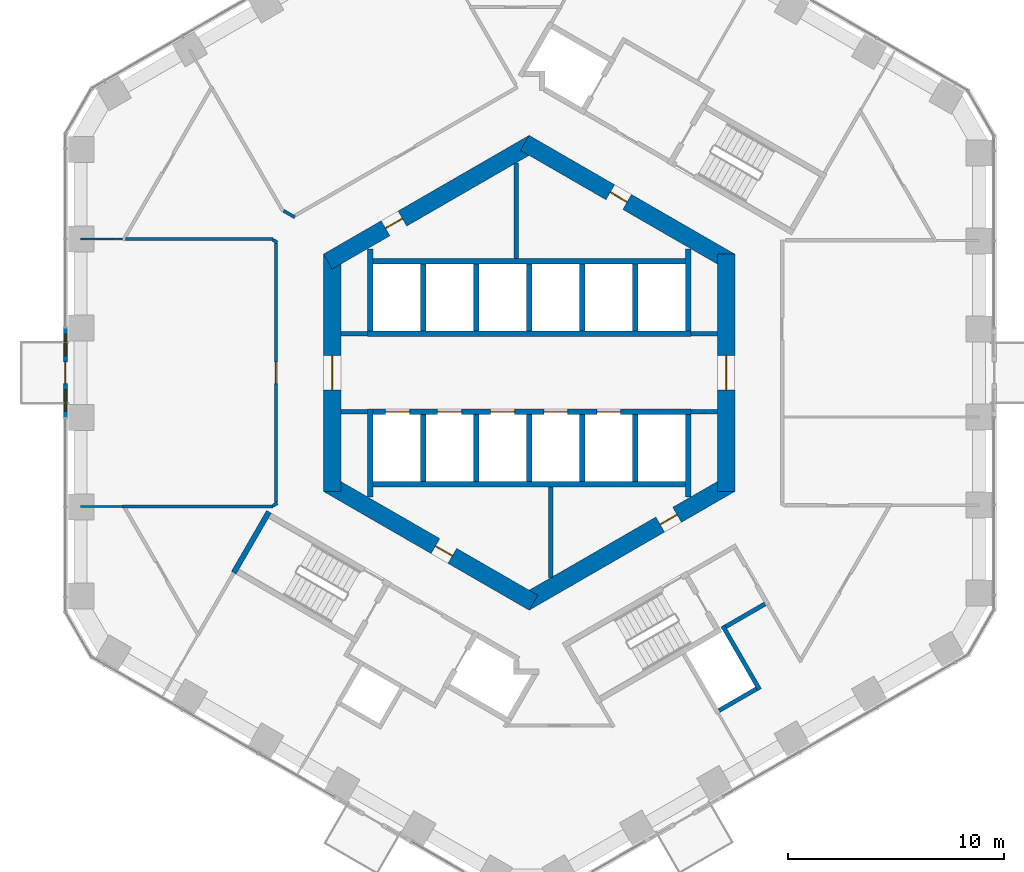
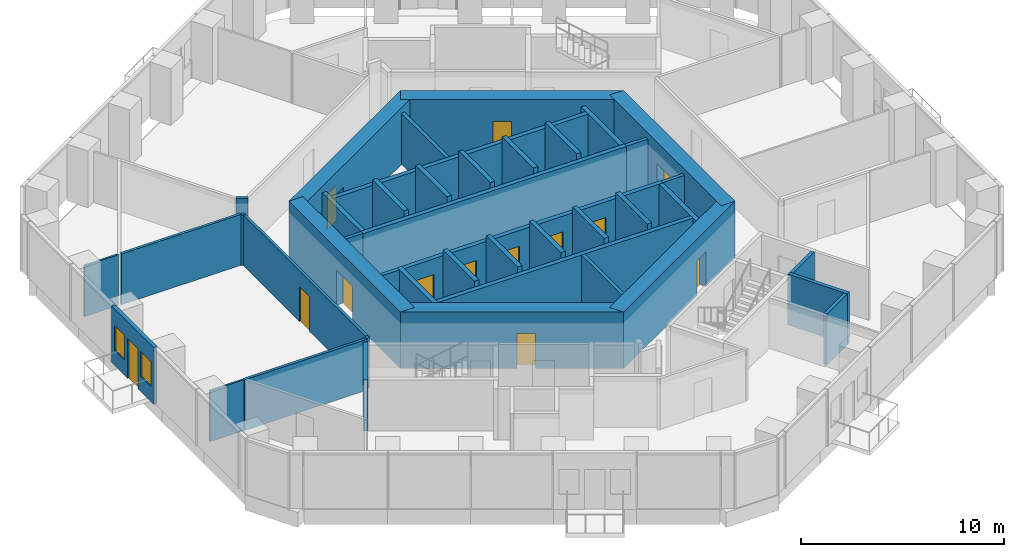
# One storey, part 14 of 20: 43 walls, 13 doors, 2 windows, 15 openings.
"""IFC4 building model written with IfcOpenShell, lengths in metres."""

import ifcopenshell
import ifcopenshell.guid

model = None  # the IFC model being written
_history = None  # IfcOwnerHistory: only IFC2X3 demands one
_inside = {}  # id of a spatial element -> (the spatial element, [elements in it])
_under = {}  # id of a project, library or spatial element -> (it, [spatial elements below it])
_declared = {}  # id of a project -> (the project, [libraries it declares])
_typed = {}  # id of a type object -> (the type object, [elements of that type])
_made_of = {}  # id of a material, layer set ... -> (it, [elements and type objects made of it])


def new_model(schema):
    """Start an empty IFC model of exactly this schema.

    Asked for "IFC4X3", IfcOpenShell would pick the latest addendum, in which some entities
    have other attributes; the version numbers below select the first issue.
    IFC2X3 requires an IfcOwnerHistory on every rooted entity: one is made here for all.
    """
    global model, _history
    if schema == "IFC4X3":
        model = ifcopenshell.file(schema_version=(4, 3, 0, 0))
    else:
        model = ifcopenshell.file(schema=schema)
    _inside.clear()
    _under.clear()
    _declared.clear()
    _typed.clear()
    _made_of.clear()
    _history = None
    if model.schema == "IFC2X3":
        org = make("IfcOrganization", Name="unknown")
        user = make(
            "IfcPersonAndOrganization",
            ThePerson=make("IfcPerson", FamilyName="unknown"),
            TheOrganization=org,
        )
        app = make(
            "IfcApplication",
            ApplicationDeveloper=org,
            Version="unknown",
            ApplicationFullName="unknown",
            ApplicationIdentifier="unknown",
        )
        _history = make(
            "IfcOwnerHistory",
            OwningUser=user,
            OwningApplication=app,
            ChangeAction="ADDED",
            CreationDate=0,
        )
    return model


def make(cls, **values):
    """One entity of the class cls with the attributes given. An attribute that is None is left unset."""
    return model.create_entity(
        cls, **{name: value for name, value in values.items() if value is not None}
    )


def rooted(cls, **values):
    """An entity with a GlobalId (a new one), such as an element, a storey or a relation."""
    return make(cls, GlobalId=ifcopenshell.guid.new(), OwnerHistory=_history, **values)


def si_unit(unit_type, name, prefix=None):
    """IfcSIUnit, for example si_unit("LENGTHUNIT", "METRE", prefix="MILLI")."""
    return make("IfcSIUnit", UnitType=unit_type, Prefix=prefix, Name=name)


def assignment(units):
    """IfcUnitAssignment: the units of a project."""
    return None if units is None else make("IfcUnitAssignment", Units=units)


def point(xyz):
    """IfcCartesianPoint."""
    return None if xyz is None else make("IfcCartesianPoint", Coordinates=xyz)


def direction(xyz):
    """IfcDirection."""
    return None if xyz is None else make("IfcDirection", DirectionRatios=xyz)


def frame(location, z_axis=None, x_axis=None):
    """IfcAxis2Placement3D, a coordinate frame: its origin and axes. An axis left out is left unset."""
    return make(
        "IfcAxis2Placement3D",
        Location=point(location),
        Axis=direction(z_axis),
        RefDirection=direction(x_axis),
    )


def frame_2d(location, x_axis=None):
    """IfcAxis2Placement2D, a coordinate frame in the plane: its origin and x axis."""
    return make(
        "IfcAxis2Placement2D", Location=point(location), RefDirection=direction(x_axis)
    )


def origin():
    """The frame at (0, 0, 0) with its axes left unset."""
    return frame((0.0, 0.0, 0.0))


def place(relative_to, where):
    """IfcLocalPlacement: puts the frame where relative to a parent placement (None: the world)."""
    return make(
        "IfcLocalPlacement", PlacementRelTo=relative_to, RelativePlacement=where
    )


def context(
    kind, dimensions, precision=None, world=None, true_north=None, identifier=None
):
    """IfcGeometricRepresentationContext, for example the 3D "Model" context."""
    return make(
        "IfcGeometricRepresentationContext",
        ContextIdentifier=identifier,
        ContextType=kind,
        CoordinateSpaceDimension=dimensions,
        Precision=precision,
        WorldCoordinateSystem=world,
        TrueNorth=true_north,
    )


def subcontext(parent, identifier, kind, view, scale=None):
    """IfcGeometricRepresentationSubContext, for example "Body" below "Model"."""
    return make(
        "IfcGeometricRepresentationSubContext",
        ContextIdentifier=identifier,
        ContextType=kind,
        ParentContext=parent,
        TargetScale=scale,
        TargetView=view,
    )


def project(units=None, contexts=None):
    """IfcProject with its units and contexts."""
    return rooted(
        "IfcProject",
        Name="project",
        RepresentationContexts=contexts,
        UnitsInContext=assignment(units),
    )


def spatial(cls, under=None, at=None, **own):
    """A site, building, storey or space (cls), placed at a placement, below another one or the project."""
    s = rooted(cls, ObjectPlacement=at, **own)
    if under is not None:
        _under.setdefault(under.id(), (under, []))[1].append(s)
    return s


def profile(cls, at=None, kind="AREA", **sizes):
    """A parametric profile (cls). Its sizes go by their IFC names, for example OverallWidth=200.0."""
    return make(cls, ProfileType=kind, Position=at, **sizes)


def rectangle(**sizes):
    """IfcRectangleProfileDef."""
    return profile("IfcRectangleProfileDef", **sizes)


def extrude(swept, where, along, depth):
    """IfcExtrudedAreaSolid: the profile swept, set in the frame where, extruded along a direction by depth."""
    return make(
        "IfcExtrudedAreaSolid",
        SweptArea=swept,
        Position=where,
        ExtrudedDirection=direction(along),
        Depth=depth,
    )


def shape(context_of_items, identifier, shape_type, items):
    """IfcShapeRepresentation: the items that make up one representation, for example the "Body"."""
    return make(
        "IfcShapeRepresentation",
        ContextOfItems=context_of_items,
        RepresentationIdentifier=identifier,
        RepresentationType=shape_type,
        Items=items,
    )


def material(Name=None, Category=None):
    """IfcMaterial."""
    return make("IfcMaterial", Name=Name, Category=Category)


def layer(
    of_material, thickness, ventilated=None, Name=None, Category=None, Priority=None
):
    """IfcMaterialLayer: one layer of a wall or slab, of a material (None: an air gap)."""
    return make(
        "IfcMaterialLayer",
        Material=of_material,
        LayerThickness=thickness,
        IsVentilated=ventilated,
        Name=Name,
        Category=Category,
        Priority=Priority,
    )


def layer_set(layers, Name=None):
    """IfcMaterialLayerSet."""
    return make("IfcMaterialLayerSet", MaterialLayers=layers, LayerSetName=Name)


def made_of(thing, what):
    """Note that an element or type object is made of a material, layer set ...; save() writes the relation."""
    if what is not None:
        _made_of.setdefault(what.id(), (what, []))[1].append(thing)
    return thing


def type_object(cls, material=None, **own):
    """A type object (cls), such as IfcWallType, which elements share."""
    return made_of(rooted(cls, **own), material)


def element(
    cls,
    number,
    at=None,
    inside=None,
    cuts=None,
    type_object=None,
    material=None,
    context=None,
    identifier="Body",
    shape_type=None,
    held_by="IfcProductDefinitionShape",
    body=None,
    shapes=None,
    **own,
):
    """One element of the class cls, such as IfcWall. Its Tag is "e" and its number.

    at: its placement. inside: the storey or other place that contains it. cuts: it is an
    opening in that element (IfcRelVoidsElement). A single representation is given by context,
    identifier, shape_type and body (its items); several are given by shapes. held_by: the class
    of the entity that holds the representations. save() writes the other relations.
    """
    e = rooted(cls, Tag="e%d" % number, ObjectPlacement=at, **own)
    if body is not None:
        shapes = [shape(context, identifier, shape_type, body)]
    if shapes is not None:
        e.Representation = make(held_by, Representations=shapes)
    if inside is not None:
        _inside.setdefault(inside.id(), (inside, []))[1].append(e)
    if cuts is not None:
        rooted(
            "IfcRelVoidsElement", RelatingBuildingElement=cuts, RelatedOpeningElement=e
        )
    if type_object is not None:
        _typed.setdefault(type_object.id(), (type_object, []))[1].append(e)
    return made_of(e, material)


def fill(opening, filler):
    """IfcRelFillsElement: the door or window that sits in an opening."""
    return rooted(
        "IfcRelFillsElement",
        RelatingOpeningElement=opening,
        RelatedBuildingElement=filler,
    )


def aggregate(whole, parts):
    """IfcRelAggregates: a whole, such as a stair, and the parts it consists of."""
    return rooted("IfcRelAggregates", RelatingObject=whole, RelatedObjects=parts)


def save(model, path):
    """Write the relations noted so far, then the file.

    IfcRelAggregates (storeys below a building ...), IfcRelContainedInSpatialStructure (elements
    in a storey), IfcRelDefinesByType, IfcRelAssociatesMaterial and IfcRelDeclares: one each for
    every whole, place, type object, material and project.
    """
    for whole, parts in _under.values():
        aggregate(whole, parts)
    for where, things in _inside.values():
        rooted(
            "IfcRelContainedInSpatialStructure",
            RelatedElements=things,
            RelatingStructure=where,
        )
    for kind, things in _typed.values():
        rooted("IfcRelDefinesByType", RelatedObjects=things, RelatingType=kind)
    for what, things in _made_of.values():
        rooted("IfcRelAssociatesMaterial", RelatedObjects=things, RelatingMaterial=what)
    for by, libraries in _declared.values():
        rooted("IfcRelDeclares", RelatingContext=by, RelatedDefinitions=libraries)
    model.write(path)


model = new_model("IFC4")

# Units and contexts
model_context = context("Model", 3, precision=1e-05, world=origin(), true_north=direction((0.0, 1.0)))
body_context = subcontext(model_context, "Body", "Model", "MODEL_VIEW")
ifc_project = project(units=[si_unit("LENGTHUNIT", "METRE"), si_unit("AREAUNIT", "SQUARE_METRE"), si_unit("VOLUMEUNIT", "CUBIC_METRE"), si_unit("PLANEANGLEUNIT", "RADIAN"), si_unit("MASSUNIT", "GRAM", prefix="KILO")], contexts=[model_context])

# Site, building, storey
site_placement = place(None, origin())
site = spatial("IfcSite", under=ifc_project, at=site_placement, CompositionType="ELEMENT")
building_placement = place(site_placement, origin())
building = spatial("IfcBuilding", under=site, at=building_placement, Name="Ayvan Gate Tower", CompositionType="ELEMENT")
storey_placement = place(building_placement, frame((0.0, 0.0, 28.89990234375)))
storey = spatial("IfcBuildingStorey", under=building, at=storey_placement, Name="L06", CompositionType="ELEMENT", Elevation=28.89990234375)

# Wall, openings, door, windows
ifc_material_1 = material(Name="Insulated metal panel wall")
ifc_layer_1 = layer(ifc_material_1, 0.199951171875)
ifc_layer_set_1 = layer_set([ifc_layer_1], Name="Insulated metal panel wall")
wall_type_1 = type_object("IfcWallType", Name="Balcony door wall 200", PredefinedType="SOLIDWALL", material=ifc_layer_set_1)
wall_1_placement = place(storey_placement, frame((-21.42529296875, 2.0634765625, 0.0), z_axis=(0.0, 0.0, 1.0), x_axis=(0.0, -1.0, 0.0)))
wall_1 = element("IfcWall", 1, at=wall_1_placement, inside=storey, type_object=wall_type_1, Name="EW:L06:3:2", PredefinedType="SOLIDWALL", context=body_context, shape_type="SweptSolid", body=[
    extrude(rectangle(XDim=4.127197265625, YDim=0.199951171875, at=frame_2d((2.0634765625, 0.0))), origin(), (0.0, 0.0, 1.0), 3.400146484375),
])
opening_1_placement = place(wall_1_placement, frame((1.5634765625, 0.0, 0.0)))
opening_1 = element("IfcOpeningElement", 2, at=opening_1_placement, cuts=wall_1, Name="Opening L06-D93", PredefinedType="OPENING", context=body_context, shape_type="SweptSolid", body=[
    extrude(rectangle(XDim=1.0, YDim=2.39990234375, at=frame_2d((0.5, 1.199951171875))), frame((0.0, 0.10986328125, 0.0), z_axis=(0.0, -1.0, 0.0), x_axis=(1.0, 0.0, 0.0)), (0.0, 0.0, 1.0), 0.219970703125),
])
opening_2_placement = place(wall_1_placement, frame((0.28173828125, 0.0, 0.89990234375)))
opening_2 = element("IfcOpeningElement", 3, at=opening_2_placement, cuts=wall_1, Name="Opening W-B1", PredefinedType="OPENING", context=body_context, shape_type="SweptSolid", body=[
    extrude(rectangle(XDim=1.0, YDim=1.5, at=frame_2d((0.5, 0.75))), frame((0.0, 0.10986328125, 0.0), z_axis=(0.0, -1.0, 0.0), x_axis=(1.0, 0.0, 0.0)), (0.0, 0.0, 1.0), 0.219970703125),
])
opening_3_placement = place(wall_1_placement, frame((2.84521484375, 0.0, 0.89990234375)))
opening_3 = element("IfcOpeningElement", 4, at=opening_3_placement, cuts=wall_1, Name="Opening W-B1", PredefinedType="OPENING", context=body_context, shape_type="SweptSolid", body=[
    extrude(rectangle(XDim=1.0, YDim=1.5, at=frame_2d((0.5, 0.75))), frame((0.0, 0.10986328125, 0.0), z_axis=(0.0, -1.0, 0.0), x_axis=(1.0, 0.0, 0.0)), (0.0, 0.0, 1.0), 0.219970703125),
])
ifc_material_2 = material(Name="Bronze anodised aluminium and clear glass", Category="aluminium")
door_type_1 = type_object("IfcDoorType", Name="Balcony door D-B", OperationType="SINGLE_SWING_RIGHT", PredefinedType="DOOR", material=ifc_material_2)
door_1_placement = place(opening_1_placement, origin())
door_1 = element("IfcDoor", 5, at=door_1_placement, inside=storey, type_object=door_type_1, Name="Balcony door BAL-L06-3", OperationType="SINGLE_SWING_RIGHT", OverallHeight=2.39990234375, OverallWidth=1.0, PredefinedType="DOOR", context=body_context, shape_type="SweptSolid", body=[
    extrude(rectangle(XDim=1.0, YDim=2.39990234375, at=frame_2d((0.5, 1.199951171875))), frame((0.0, 0.02490234375, 0.0), z_axis=(0.0, -1.0, 0.0), x_axis=(1.0, 0.0, 0.0)), (0.0, 0.0, 1.0), 0.050048828125),
])
fill(opening_1, door_1)
window_type = type_object("IfcWindowType", Name="Balcony side light W-B Z1", PartitioningType="SINGLE_PANEL", PredefinedType="WINDOW", material=ifc_material_2)
window_1_placement = place(opening_2_placement, origin())
window_1 = element("IfcWindow", 6, at=window_1_placement, inside=storey, type_object=window_type, Name="Balcony side light BAL-L06-3.1", OverallHeight=1.5, OverallWidth=1.0, PartitioningType="SINGLE_PANEL", PredefinedType="WINDOW", context=body_context, shape_type="SweptSolid", body=[
    extrude(rectangle(XDim=1.0, YDim=1.5, at=frame_2d((0.5, 0.75))), frame((0.0, 0.030029296875, 0.0), z_axis=(0.0, -1.0, 0.0), x_axis=(1.0, 0.0, 0.0)), (0.0, 0.0, 1.0), 0.06005859375),
])
fill(opening_2, window_1)
window_2_placement = place(opening_3_placement, origin())
window_2 = element("IfcWindow", 7, at=window_2_placement, inside=storey, type_object=window_type, Name="Balcony side light BAL-L06-3.2", OverallHeight=1.5, OverallWidth=1.0, PartitioningType="SINGLE_PANEL", PredefinedType="WINDOW", context=body_context, shape_type="SweptSolid", body=[
    extrude(rectangle(XDim=1.0, YDim=1.5, at=frame_2d((0.5, 0.75))), frame((0.0, 0.030029296875, 0.0), z_axis=(0.0, -1.0, 0.0), x_axis=(1.0, 0.0, 0.0)), (0.0, 0.0, 1.0), 0.06005859375),
])
fill(opening_3, window_2)

# Wall, opening, door
ifc_material_3 = material(Name="Concrete C70/85", Category="concrete")
ifc_layer_2 = layer(ifc_material_3, 0.800048828125)
ifc_layer_set_2 = layer_set([ifc_layer_2], Name="Concrete C70/85")
wall_type_2 = type_object("IfcWallType", Name="Core wall 800 C70/85", PredefinedType="SHEAR", material=ifc_layer_set_2)
wall_2_placement = place(storey_placement, frame((9.10009765625, -5.48486328125, 0.0), z_axis=(0.0, 0.0, 1.0), x_axis=(0.0, 1.0, 0.0)))
wall_2 = element("IfcWall", 8, at=wall_2_placement, inside=storey, type_object=wall_type_2, Name="CORE-L06-0", PredefinedType="SHEAR", context=body_context, shape_type="SweptSolid", body=[
    extrude(rectangle(XDim=10.9697265625, YDim=0.800048828125, at=frame_2d((5.48486328125, 0.0))), origin(), (0.0, 0.0, 1.0), 3.400146484375),
])
opening_4_placement = place(wall_2_placement, frame((4.684814453125, 0.0, 0.0)))
opening_4 = element("IfcOpeningElement", 9, at=opening_4_placement, cuts=wall_2, Name="Opening L06-D100", PredefinedType="OPENING", context=body_context, shape_type="SweptSolid", body=[
    extrude(rectangle(XDim=1.60009765625, YDim=2.10009765625, at=frame_2d((0.800048828125, 1.050048828125))), frame((0.0, 0.409912109375, 0.0), z_axis=(0.0, -1.0, 0.0), x_axis=(1.0, 0.0, 0.0)), (0.0, 0.0, 1.0), 0.820068359375),
])
ifc_material_4 = material(Name="Timber door leaf", Category="wood")
door_type_2 = type_object("IfcDoorType", Name="DT-1600", OperationType="NOTDEFINED", PredefinedType="DOOR", material=ifc_material_4)
door_2_placement = place(opening_4_placement, origin())
door_2 = element("IfcDoor", 10, at=door_2_placement, inside=storey, type_object=door_type_2, Name="CD-L06-100", OperationType="SINGLE_SWING_RIGHT", OverallHeight=2.10009765625, OverallWidth=1.60009765625, PredefinedType="DOOR", context=body_context, shape_type="SweptSolid", body=[
    extrude(rectangle(XDim=1.60009765625, YDim=2.10009765625, at=frame_2d((0.800048828125, 1.050048828125))), frame((0.0, 0.02490234375, 0.0), z_axis=(0.0, -1.0, 0.0), x_axis=(1.0, 0.0, 0.0)), (0.0, 0.0, 1.0), 0.050048828125),
])
fill(opening_4, door_2)

wall_3_placement = place(storey_placement, frame((9.300048828125, 5.138427734375, 0.0), z_axis=(0.0, 0.0, 1.0), x_axis=(-0.866023993627, 0.500002442456, 0.0)))
wall_3 = element("IfcWall", 11, at=wall_3_placement, inside=storey, type_object=wall_type_2, Name="CORE-L06-1", PredefinedType="SHEAR", context=body_context, shape_type="SweptSolid", body=[
    extrude(rectangle(XDim=10.9697265625, YDim=0.800048828125, at=frame_2d((5.48486328125, 0.0))), origin(), (0.0, 0.0, 1.0), 3.400146484375),
])
opening_5_placement = place(wall_3_placement, frame((5.5087890625, 0.0, 0.0)))
opening_5 = element("IfcOpeningElement", 12, at=opening_5_placement, cuts=wall_3, Name="Opening L06-D97", PredefinedType="OPENING", context=body_context, shape_type="SweptSolid", body=[
    extrude(rectangle(XDim=0.89990234375, YDim=2.10009765625, at=frame_2d((0.449951171875, 1.050048828125))), frame((0.0, 0.409912109375, 0.0), z_axis=(0.0, -1.0, 0.0), x_axis=(1.0, 0.0, 0.0)), (0.0, 0.0, 1.0), 0.820068359375),
])
door_type_3 = type_object("IfcDoorType", Name="DT-900", OperationType="NOTDEFINED", PredefinedType="DOOR", material=ifc_material_4)
door_3_placement = place(opening_5_placement, origin())
door_3 = element("IfcDoor", 13, at=door_3_placement, inside=storey, type_object=door_type_3, Name="CD-L06-97", OperationType="SINGLE_SWING_LEFT", OverallHeight=2.10009765625, OverallWidth=0.89990234375, PredefinedType="DOOR", context=body_context, shape_type="SweptSolid", body=[
    extrude(rectangle(XDim=0.89990234375, YDim=2.10009765625, at=frame_2d((0.449951171875, 1.050048828125))), frame((0.0, 0.02490234375, 0.0), z_axis=(0.0, -1.0, 0.0), x_axis=(1.0, 0.0, 0.0)), (0.0, 0.0, 1.0), 0.050048828125),
])
fill(opening_5, door_3)

wall_4_placement = place(storey_placement, frame((0.199951171875, 10.623291015625, 0.0), z_axis=(0.0, 0.0, 1.0), x_axis=(-0.866023993627, -0.500002442456, 0.0)))
wall_4 = element("IfcWall", 14, at=wall_4_placement, inside=storey, type_object=wall_type_2, Name="CORE-L06-2", PredefinedType="SHEAR", context=body_context, shape_type="SweptSolid", body=[
    extrude(rectangle(XDim=10.9697265625, YDim=0.800048828125, at=frame_2d((5.48486328125, 0.0))), origin(), (0.0, 0.0, 1.0), 3.400146484375),
])
opening_6_placement = place(wall_4_placement, frame((6.99267578125, 0.0, 0.0)))
opening_6 = element("IfcOpeningElement", 15, at=opening_6_placement, cuts=wall_4, Name="Opening L06-D96", PredefinedType="OPENING", context=body_context, shape_type="SweptSolid", body=[
    extrude(rectangle(XDim=0.89990234375, YDim=2.10009765625, at=frame_2d((0.449951171875, 1.050048828125))), frame((0.0, 0.409912109375, 0.0), z_axis=(0.0, -1.0, 0.0), x_axis=(1.0, 0.0, 0.0)), (0.0, 0.0, 1.0), 0.820068359375),
])
door_4_placement = place(opening_6_placement, origin())
door_4 = element("IfcDoor", 16, at=door_4_placement, inside=storey, type_object=door_type_3, Name="CD-L06-96", OperationType="SINGLE_SWING_RIGHT", OverallHeight=2.10009765625, OverallWidth=0.89990234375, PredefinedType="DOOR", context=body_context, shape_type="SweptSolid", body=[
    extrude(rectangle(XDim=0.89990234375, YDim=2.10009765625, at=frame_2d((0.449951171875, 1.050048828125))), frame((0.0, 0.02490234375, 0.0), z_axis=(0.0, -1.0, 0.0), x_axis=(1.0, 0.0, 0.0)), (0.0, 0.0, 1.0), 0.050048828125),
])
fill(opening_6, door_4)

wall_5_placement = place(storey_placement, frame((-9.10009765625, 5.48486328125, 0.0), z_axis=(0.0, 0.0, 1.0), x_axis=(0.0, -1.0, 0.0)))
wall_5 = element("IfcWall", 17, at=wall_5_placement, inside=storey, type_object=wall_type_2, Name="CORE-L06-3", PredefinedType="SHEAR", context=body_context, shape_type="SweptSolid", body=[
    extrude(rectangle(XDim=10.9697265625, YDim=0.800048828125, at=frame_2d((5.48486328125, 0.0))), origin(), (0.0, 0.0, 1.0), 3.400146484375),
])
opening_7_placement = place(wall_5_placement, frame((4.684814453125, 0.0, 0.0)))
opening_7 = element("IfcOpeningElement", 18, at=opening_7_placement, cuts=wall_5, Name="Opening L06-D101", PredefinedType="OPENING", context=body_context, shape_type="SweptSolid", body=[
    extrude(rectangle(XDim=1.60009765625, YDim=2.10009765625, at=frame_2d((0.800048828125, 1.050048828125))), frame((0.0, 0.409912109375, 0.0), z_axis=(0.0, -1.0, 0.0), x_axis=(1.0, 0.0, 0.0)), (0.0, 0.0, 1.0), 0.820068359375),
])
door_5_placement = place(opening_7_placement, origin())
door_5 = element("IfcDoor", 19, at=door_5_placement, inside=storey, type_object=door_type_2, Name="CD-L06-101", OperationType="SINGLE_SWING_LEFT", OverallHeight=2.10009765625, OverallWidth=1.60009765625, PredefinedType="DOOR", context=body_context, shape_type="SweptSolid", body=[
    extrude(rectangle(XDim=1.60009765625, YDim=2.10009765625, at=frame_2d((0.800048828125, 1.050048828125))), frame((0.0, 0.02490234375, 0.0), z_axis=(0.0, -1.0, 0.0), x_axis=(1.0, 0.0, 0.0)), (0.0, 0.0, 1.0), 0.050048828125),
])
fill(opening_7, door_5)

wall_6_placement = place(storey_placement, frame((-9.300048828125, -5.138427734375, 0.0), z_axis=(0.0, 0.0, 1.0), x_axis=(0.866023993627, -0.500002442456, 0.0)))
wall_6 = element("IfcWall", 20, at=wall_6_placement, inside=storey, type_object=wall_type_2, Name="CORE-L06-4", PredefinedType="SHEAR", context=body_context, shape_type="SweptSolid", body=[
    extrude(rectangle(XDim=10.9697265625, YDim=0.800048828125, at=frame_2d((5.48486328125, 0.0))), origin(), (0.0, 0.0, 1.0), 3.400146484375),
])
opening_8_placement = place(wall_6_placement, frame((5.73974609375, 0.0, 0.0)))
opening_8 = element("IfcOpeningElement", 21, at=opening_8_placement, cuts=wall_6, Name="Opening L06-D98", PredefinedType="OPENING", context=body_context, shape_type="SweptSolid", body=[
    extrude(rectangle(XDim=0.89990234375, YDim=2.10009765625, at=frame_2d((0.449951171875, 1.050048828125))), frame((0.0, 0.409912109375, 0.0), z_axis=(0.0, -1.0, 0.0), x_axis=(1.0, 0.0, 0.0)), (0.0, 0.0, 1.0), 0.820068359375),
])
door_6_placement = place(opening_8_placement, origin())
door_6 = element("IfcDoor", 22, at=door_6_placement, inside=storey, type_object=door_type_3, Name="CD-L06-98", OperationType="SINGLE_SWING_RIGHT", OverallHeight=2.10009765625, OverallWidth=0.89990234375, PredefinedType="DOOR", context=body_context, shape_type="SweptSolid", body=[
    extrude(rectangle(XDim=0.89990234375, YDim=2.10009765625, at=frame_2d((0.449951171875, 1.050048828125))), frame((0.0, 0.02490234375, 0.0), z_axis=(0.0, -1.0, 0.0), x_axis=(1.0, 0.0, 0.0)), (0.0, 0.0, 1.0), 0.050048828125),
])
fill(opening_8, door_6)

wall_7_placement = place(storey_placement, frame((-0.199951171875, -10.623291015625, 0.0), z_axis=(0.0, 0.0, 1.0), x_axis=(0.866023993627, 0.500002442456, 0.0)))
wall_7 = element("IfcWall", 23, at=wall_7_placement, inside=storey, type_object=wall_type_2, Name="CORE-L06-5", PredefinedType="SHEAR", context=body_context, shape_type="SweptSolid", body=[
    extrude(rectangle(XDim=10.9697265625, YDim=0.800048828125, at=frame_2d((5.48486328125, 0.0))), origin(), (0.0, 0.0, 1.0), 3.400146484375),
])
opening_9_placement = place(wall_7_placement, frame((7.2236328125, 0.0, 0.0)))
opening_9 = element("IfcOpeningElement", 24, at=opening_9_placement, cuts=wall_7, Name="Opening L06-D99", PredefinedType="OPENING", context=body_context, shape_type="SweptSolid", body=[
    extrude(rectangle(XDim=0.89990234375, YDim=2.10009765625, at=frame_2d((0.449951171875, 1.050048828125))), frame((0.0, 0.409912109375, 0.0), z_axis=(0.0, -1.0, 0.0), x_axis=(1.0, 0.0, 0.0)), (0.0, 0.0, 1.0), 0.820068359375),
])
door_7_placement = place(opening_9_placement, origin())
door_7 = element("IfcDoor", 25, at=door_7_placement, inside=storey, type_object=door_type_3, Name="CD-L06-99", OperationType="SINGLE_SWING_LEFT", OverallHeight=2.10009765625, OverallWidth=0.89990234375, PredefinedType="DOOR", context=body_context, shape_type="SweptSolid", body=[
    extrude(rectangle(XDim=0.89990234375, YDim=2.10009765625, at=frame_2d((0.449951171875, 1.050048828125))), frame((0.0, 0.02490234375, 0.0), z_axis=(0.0, -1.0, 0.0), x_axis=(1.0, 0.0, 0.0)), (0.0, 0.0, 1.0), 0.050048828125),
])
fill(opening_9, door_7)

# Walls
ifc_material_5 = material(Name="Plasterboard on steel stud", Category="steel")
ifc_layer_3 = layer(ifc_material_5, 0.14990234375)
ifc_layer_set_3 = layer_set([ifc_layer_3], Name="Plasterboard on steel stud")
wall_type_3 = type_object("IfcWallType", Name="WT-CORR-150", PredefinedType="PARTITIONING", material=ifc_layer_set_3)
wall_8_placement = place(storey_placement, frame((-18.793701171875, -6.181396484375, 0.0), z_axis=(0.0, 0.0, 1.0), x_axis=(1.0, 0.0, 0.0)))
element("IfcWall", 26, at=wall_8_placement, inside=storey, type_object=wall_type_3, Name="IW-L06-001", PredefinedType="PARTITIONING", context=body_context, shape_type="SweptSolid", body=[
    extrude(rectangle(XDim=6.96240234375, YDim=0.14990234375, at=frame_2d((3.481201171875, 0.0))), origin(), (0.0, 0.0, 1.0), 3.050048828125),
])
wall_9_placement = place(storey_placement, frame((-11.831298828125, 6.181396484375, 0.0), z_axis=(0.0, 0.0, 1.0), x_axis=(-1.0, 0.0, 0.0)))
element("IfcWall", 27, at=wall_9_placement, inside=storey, type_object=wall_type_3, Name="IW-L06-011", PredefinedType="PARTITIONING", context=body_context, shape_type="SweptSolid", body=[
    extrude(rectangle(XDim=6.8125, YDim=0.14990234375, at=frame_2d((3.40625, 0.0))), origin(), (0.0, 0.0, 1.0), 3.050048828125),
])
for number, where, z_axis, x_axis, name in (
    (28, (-11.84130859375, -6.143798828125, 0.0), (0.0, 0.0, 1.0), (0.865963705197, 0.500106849865, 0.0), "IW-L06-012"),
    (29, (-11.635009765625, 6.024658203125, 0.0), (0.0, 0.0, 1.0), (-0.865963705197, 0.500106849865, 0.0), "IW-L06-013"),
):
    element("IfcWall", number, at=place(storey_placement, frame(where, z_axis=z_axis, x_axis=x_axis)), inside=storey, type_object=wall_type_3, Name=name, PredefinedType="PARTITIONING", context=body_context, shape_type="SweptSolid", body=[
        extrude(rectangle(XDim=0.23828125, YDim=0.14990234375, at=frame_2d((0.119140625, 0.0))), origin(), (0.0, 0.0, 1.0), 3.050048828125),
    ])

# Wall, opening, door
wall_10_placement = place(storey_placement, frame((-11.699951171875, -5.9873046875, 0.0), z_axis=(0.0, 0.0, 1.0), x_axis=(0.0, 1.0, 0.0)))
wall_10 = element("IfcWall", 30, at=wall_10_placement, inside=storey, type_object=wall_type_3, Name="IW-L06-014", PredefinedType="PARTITIONING", context=body_context, shape_type="SweptSolid", body=[
    extrude(rectangle(XDim=11.974609375, YDim=0.14990234375, at=frame_2d((5.9873046875, 0.0))), origin(), (0.0, 0.0, 1.0), 3.050048828125),
])
opening_10_placement = place(wall_10_placement, frame((5.4873046875, 0.0, 0.0)))
opening_10 = element("IfcOpeningElement", 31, at=opening_10_placement, cuts=wall_10, Name="Opening L06-D24", PredefinedType="OPENING", context=body_context, shape_type="SweptSolid", body=[
    extrude(rectangle(XDim=1.0, YDim=2.10009765625, at=frame_2d((0.5, 1.050048828125))), frame((0.0, 0.0849609375, 0.0), z_axis=(0.0, -1.0, 0.0), x_axis=(1.0, 0.0, 0.0)), (0.0, 0.0, 1.0), 0.169921875),
])
door_type_4 = type_object("IfcDoorType", Name="DT-1000", OperationType="NOTDEFINED", PredefinedType="DOOR", material=ifc_material_4)
door_8_placement = place(opening_10_placement, origin())
door_8 = element("IfcDoor", 32, at=door_8_placement, inside=storey, type_object=door_type_4, Name="ID-L06-024", OperationType="SINGLE_SWING_RIGHT", OverallHeight=2.10009765625, OverallWidth=1.0, PredefinedType="DOOR", context=body_context, shape_type="SweptSolid", body=[
    extrude(rectangle(XDim=1.0, YDim=2.10009765625, at=frame_2d((0.5, 1.050048828125))), frame((0.0, 0.02490234375, 0.0), z_axis=(0.0, -1.0, 0.0), x_axis=(1.0, 0.0, 0.0)), (0.0, 0.0, 1.0), 0.050048828125),
])
fill(opening_10, door_8)

# Walls
wall_11_placement = place(storey_placement, frame((-11.344482421875, 7.485107421875, 0.0), z_axis=(0.0, 0.0, 1.0), x_axis=(0.866131372301, -0.499816412211, 0.0)))
element("IfcWall", 33, at=wall_11_placement, inside=storey, type_object=wall_type_3, Name="IW-L06-015", PredefinedType="PARTITIONING", context=body_context, shape_type="SweptSolid", body=[
    extrude(rectangle(XDim=0.599853515625, YDim=0.14990234375, at=frame_2d((0.2998046875, 0.0))), origin(), (0.0, 0.0, 1.0), 3.050048828125),
])
ifc_layer_4 = layer(ifc_material_5, 0.10009765625)
ifc_layer_set_4 = layer_set([ifc_layer_4], Name="Plasterboard on steel stud")
wall_type_4 = type_object("IfcWallType", Name="WT-PART-100", PredefinedType="PARTITIONING", material=ifc_layer_set_4)
for number, where, z_axis, x_axis, name in (
    (34, (-18.793701171875, -6.181396484375, 0.0), (0.0, 0.0, 1.0), (-1.0, 0.0, 0.0), "IW-L06-000"),
    (35, (-18.793701171875, 6.181396484375, 0.0), (0.0, 0.0, 1.0), (-1.0, 0.0, 0.0), "IW-L06-002"),
):
    element("IfcWall", number, at=place(storey_placement, frame(where, z_axis=z_axis, x_axis=x_axis)), inside=storey, type_object=wall_type_4, Name=name, PredefinedType="PARTITIONING", context=body_context, shape_type="SweptSolid", body=[
        extrude(rectangle(XDim=1.931640625, YDim=0.10009765625, at=frame_2d((0.9658203125, 0.0))), origin(), (0.0, 0.0, 1.0), 3.050048828125),
    ])
ifc_layer_5 = layer(ifc_material_5, 0.199951171875)
ifc_layer_set_5 = layer_set([ifc_layer_5], Name="Plasterboard on steel stud")
wall_type_5 = type_object("IfcWallType", Name="WT-PLUMB-200", PredefinedType="PLUMBINGWALL", material=ifc_layer_set_5)
wall_12_placement = place(storey_placement, frame((8.9453125, -11.694091796875, 0.0), z_axis=(0.0, 0.0, 1.0), x_axis=(0.500062241894, -0.865989465428, 0.0)))
element("IfcWall", 36, at=wall_12_placement, inside=storey, type_object=wall_type_5, Name="IW-L06-088", PredefinedType="PLUMBINGWALL", context=body_context, shape_type="SweptSolid", body=[
    extrude(rectangle(XDim=3.39990234375, YDim=0.199951171875, at=frame_2d((1.699951171875, 0.0))), origin(), (0.0, 0.0, 1.0), 3.050048828125),
])
wall_13_placement = place(storey_placement, frame((10.5087890625, -14.601806640625, 0.0), z_axis=(0.0, 0.0, 1.0), x_axis=(-0.866010750942, -0.50002537861, 0.0)))
element("IfcWall", 37, at=wall_13_placement, inside=storey, type_object=wall_type_5, Name="IW-L06-091", PredefinedType="PLUMBINGWALL", context=body_context, shape_type="SweptSolid", body=[
    extrude(rectangle(XDim=2.0, YDim=0.199951171875, at=frame_2d((1.0, 0.0))), origin(), (0.0, 0.0, 1.0), 3.050048828125),
])
ifc_layer_6 = layer(ifc_material_5, 0.199951171875)
ifc_layer_set_6 = layer_set([ifc_layer_6], Name="Plasterboard on steel stud")
wall_type_6 = type_object("IfcWallType", Name="WT-RATED-200", PredefinedType="PARTITIONING", material=ifc_layer_set_6)
for number, where, z_axis, x_axis, name in (
    (38, (-8.699951171875, 1.800048828125, 0.0), (0.0, 0.0, 1.0), (1.0, 0.0, 0.0), "IW-L06-019"),
    (39, (-7.474853515625, -1.800048828125, 0.0), (0.0, 0.0, 1.0), (-1.0, 0.0, 0.0), "IW-L06-027"),
):
    element("IfcWall", number, at=place(storey_placement, frame(where, z_axis=z_axis, x_axis=x_axis)), inside=storey, type_object=wall_type_6, Name=name, PredefinedType="PARTITIONING", context=body_context, shape_type="SweptSolid", body=[
        extrude(rectangle(XDim=1.22509765625, YDim=0.199951171875, at=frame_2d((0.612548828125, 0.0))), origin(), (0.0, 0.0, 1.0), 3.050048828125),
    ])
wall_14_placement = place(storey_placement, frame((-0.60009765625, 9.699462890625, 0.0), z_axis=(0.0, 0.0, 1.0), x_axis=(0.0, -1.0, 0.0)))
element("IfcWall", 40, at=wall_14_placement, inside=storey, type_object=wall_type_6, Name="IW-L06-050", PredefinedType="PARTITIONING", context=body_context, shape_type="SweptSolid", body=[
    extrude(rectangle(XDim=4.424560546875, YDim=0.199951171875, at=frame_2d((2.21240234375, 0.0))), origin(), (0.0, 0.0, 1.0), 3.050048828125),
])
wall_15_placement = place(storey_placement, frame((1.0, -5.27490234375, 0.0), z_axis=(0.0, 0.0, 1.0), x_axis=(0.0, -1.0, 0.0)))
element("IfcWall", 41, at=wall_15_placement, inside=storey, type_object=wall_type_6, Name="IW-L06-059", PredefinedType="PARTITIONING", context=body_context, shape_type="SweptSolid", body=[
    extrude(rectangle(XDim=4.193603515625, YDim=0.199951171875, at=frame_2d((2.0966796875, 0.0))), origin(), (0.0, 0.0, 1.0), 3.050048828125),
])
for number, where, z_axis, x_axis, name in (
    (42, (7.474853515625, 1.800048828125, 0.0), (0.0, 0.0, 1.0), (1.0, 0.0, 0.0), "IW-L06-079"),
    (43, (8.699951171875, -1.800048828125, 0.0), (0.0, 0.0, 1.0), (-1.0, 0.0, 0.0), "IW-L06-087"),
):
    element("IfcWall", number, at=place(storey_placement, frame(where, z_axis=z_axis, x_axis=x_axis)), inside=storey, type_object=wall_type_6, Name=name, PredefinedType="PARTITIONING", context=body_context, shape_type="SweptSolid", body=[
        extrude(rectangle(XDim=1.22509765625, YDim=0.199951171875, at=frame_2d((0.612548828125, 0.0))), origin(), (0.0, 0.0, 1.0), 3.050048828125),
    ])
wall_16_placement = place(storey_placement, frame((10.900634765625, -10.6806640625, 0.0), z_axis=(0.0, 0.0, 1.0), x_axis=(-0.866009402589, -0.500027713859, 0.0)))
element("IfcWall", 44, at=wall_16_placement, inside=storey, type_object=wall_type_6, Name="IW-L06-092", PredefinedType="PARTITIONING", context=body_context, shape_type="SweptSolid", body=[
    extrude(rectangle(XDim=2.10009765625, YDim=0.199951171875, at=frame_2d((1.050048828125, 0.0))), origin(), (0.0, 0.0, 1.0), 3.050048828125),
])
ifc_material_6 = material(Name="Concrete C50/60", Category="concrete")
ifc_layer_7 = layer(ifc_material_6, 0.25)
ifc_layer_set_7 = layer_set([ifc_layer_7], Name="Concrete C50/60")
wall_type_7 = type_object("IfcWallType", Name="WT-RC-250", PredefinedType="SHEAR", material=ifc_layer_set_7)
wall_17_placement = place(storey_placement, frame((-13.64794921875, -9.23876953125, 0.0), z_axis=(0.0, 0.0, 1.0), x_axis=(0.500017246033, 0.866015446554, 0.0)))
element("IfcWall", 45, at=wall_17_placement, inside=storey, type_object=wall_type_7, Name="IW-L06-008", PredefinedType="SHEAR", context=body_context, shape_type="SweptSolid", body=[
    extrude(rectangle(XDim=3.25, YDim=0.25, at=frame_2d((1.625, 0.0))), origin(), (0.0, 0.0, 1.0), 3.050048828125),
])
wall_18_placement = place(storey_placement, frame((-7.47509765625, 1.800048828125, 0.0), z_axis=(0.0, 0.0, 1.0), x_axis=(1.0, 0.0, 0.0)))
element("IfcWall", 46, at=wall_18_placement, inside=storey, type_object=wall_type_7, Name="IW-L06-023", PredefinedType="SHEAR", context=body_context, shape_type="SweptSolid", body=[
    extrude(rectangle(XDim=14.9501953125, YDim=0.25, at=frame_2d((7.47509765625, 0.0))), origin(), (0.0, 0.0, 1.0), 3.050048828125),
])
wall_19_placement = place(storey_placement, frame((-7.35009765625, -5.730224609375, 0.0), z_axis=(0.0, 0.0, 1.0), x_axis=(0.0, 1.0, 0.0)))
element("IfcWall", 47, at=wall_19_placement, inside=storey, type_object=wall_type_7, Name="IW-L06-024", PredefinedType="SHEAR", context=body_context, shape_type="SweptSolid", body=[
    extrude(rectangle(XDim=4.05517578125, YDim=0.25, at=frame_2d((2.027587890625, 0.0))), origin(), (0.0, 0.0, 1.0), 3.050048828125),
])
wall_20_placement = place(storey_placement, frame((-7.35009765625, 1.925048828125, 0.0), z_axis=(0.0, 0.0, 1.0), x_axis=(0.0, 1.0, 0.0)))
element("IfcWall", 48, at=wall_20_placement, inside=storey, type_object=wall_type_7, Name="IW-L06-025", PredefinedType="SHEAR", context=body_context, shape_type="SweptSolid", body=[
    extrude(rectangle(XDim=3.80517578125, YDim=0.25, at=frame_2d((1.902587890625, 0.0))), origin(), (0.0, 0.0, 1.0), 3.050048828125),
])
for number, where, z_axis, x_axis, name in (
    (49, (-7.22509765625, 5.14990234375, 0.0), (0.0, 0.0, 1.0), (1.0, 0.0, 0.0), "IW-L06-026"),
    (50, (-7.22509765625, -5.14990234375, 0.0), (0.0, 0.0, 1.0), (1.0, 0.0, 0.0), "IW-L06-033"),
):
    element("IfcWall", number, at=place(storey_placement, frame(where, z_axis=z_axis, x_axis=x_axis)), inside=storey, type_object=wall_type_7, Name=name, PredefinedType="SHEAR", context=body_context, shape_type="SweptSolid", body=[
        extrude(rectangle(XDim=14.7001953125, YDim=0.25, at=frame_2d((7.35009765625, 0.0))), origin(), (0.0, 0.0, 1.0), 3.050048828125),
    ])
for number, where, z_axis, x_axis, name in (
    (51, (-4.89990234375, -1.925048828125, 0.0), (0.0, 0.0, 1.0), (0.0, -1.0, 0.0), "IW-L06-034"),
    (52, (-4.89990234375, 5.02490234375, 0.0), (0.0, 0.0, 1.0), (0.0, -1.0, 0.0), "IW-L06-035"),
):
    element("IfcWall", number, at=place(storey_placement, frame(where, z_axis=z_axis, x_axis=x_axis)), inside=storey, type_object=wall_type_7, Name=name, PredefinedType="SHEAR", context=body_context, shape_type="SweptSolid", body=[
        extrude(rectangle(XDim=3.099853515625, YDim=0.25, at=frame_2d((1.5498046875, 0.0))), origin(), (0.0, 0.0, 1.0), 3.400146484375),
    ])

# Wall, openings, doors
wall_21_placement = place(storey_placement, frame((-7.22509765625, -1.800048828125, 0.0), z_axis=(0.0, 0.0, 1.0), x_axis=(1.0, 0.0, 0.0)))
wall_21 = element("IfcWall", 53, at=wall_21_placement, inside=storey, type_object=wall_type_7, Name="IW-L06-036", PredefinedType="SHEAR", context=body_context, shape_type="SweptSolid", body=[
    extrude(rectangle(XDim=14.7001953125, YDim=0.25, at=frame_2d((7.35009765625, 0.0))), origin(), (0.0, 0.0, 1.0), 3.050048828125),
])
opening_11_placement = place(wall_21_placement, frame((0.597412109375, 0.0, 0.0)))
opening_11 = element("IfcOpeningElement", 54, at=opening_11_placement, cuts=wall_21, Name="Opening L06-LD-LR1", PredefinedType="OPENING", context=body_context, shape_type="SweptSolid", body=[
    extrude(rectangle(XDim=1.10009765625, YDim=2.10009765625, at=frame_2d((0.550048828125, 1.050048828125))), frame((0.0, 0.135009765625, 0.0), z_axis=(0.0, -1.0, 0.0), x_axis=(1.0, 0.0, 0.0)), (0.0, 0.0, 1.0), 0.27001953125),
])
opening_12_placement = place(wall_21_placement, frame((3.0, 0.0, 0.0)))
opening_12 = element("IfcOpeningElement", 55, at=opening_12_placement, cuts=wall_21, Name="Opening L06-LD-LR2", PredefinedType="OPENING", context=body_context, shape_type="SweptSolid", body=[
    extrude(rectangle(XDim=1.10009765625, YDim=2.10009765625, at=frame_2d((0.550048828125, 1.050048828125))), frame((0.0, 0.135009765625, 0.0), z_axis=(0.0, -1.0, 0.0), x_axis=(1.0, 0.0, 0.0)), (0.0, 0.0, 1.0), 0.27001953125),
])
opening_13_placement = place(wall_21_placement, frame((5.4501953125, 0.0, 0.0)))
opening_13 = element("IfcOpeningElement", 56, at=opening_13_placement, cuts=wall_21, Name="Opening L06-LD-LR3", PredefinedType="OPENING", context=body_context, shape_type="SweptSolid", body=[
    extrude(rectangle(XDim=1.10009765625, YDim=2.10009765625, at=frame_2d((0.550048828125, 1.050048828125))), frame((0.0, 0.135009765625, 0.0), z_axis=(0.0, -1.0, 0.0), x_axis=(1.0, 0.0, 0.0)), (0.0, 0.0, 1.0), 0.27001953125),
])
opening_14_placement = place(wall_21_placement, frame((7.900146484375, 0.0, 0.0)))
opening_14 = element("IfcOpeningElement", 57, at=opening_14_placement, cuts=wall_21, Name="Opening L06-LD-LR4", PredefinedType="OPENING", context=body_context, shape_type="SweptSolid", body=[
    extrude(rectangle(XDim=1.10009765625, YDim=2.10009765625, at=frame_2d((0.550048828125, 1.050048828125))), frame((0.0, 0.135009765625, 0.0), z_axis=(0.0, -1.0, 0.0), x_axis=(1.0, 0.0, 0.0)), (0.0, 0.0, 1.0), 0.27001953125),
])
opening_15_placement = place(wall_21_placement, frame((10.35009765625, 0.0, 0.0)))
opening_15 = element("IfcOpeningElement", 58, at=opening_15_placement, cuts=wall_21, Name="Opening L06-LD-SV", PredefinedType="OPENING", context=body_context, shape_type="SweptSolid", body=[
    extrude(rectangle(XDim=1.10009765625, YDim=2.10009765625, at=frame_2d((0.550048828125, 1.050048828125))), frame((0.0, 0.135009765625, 0.0), z_axis=(0.0, -1.0, 0.0), x_axis=(1.0, 0.0, 0.0)), (0.0, 0.0, 1.0), 0.27001953125),
])
ifc_material_7 = material(Name="Stainless steel landing door", Category="steel")
door_type_5 = type_object("IfcDoorType", Name="DT-LANDING-1100", OperationType="SLIDING_TO_LEFT", PredefinedType="DOOR", material=ifc_material_7)
door_9_placement = place(opening_11_placement, origin())
door_9 = element("IfcDoor", 59, at=door_9_placement, inside=storey, type_object=door_type_5, Name="ID-L06-001", OperationType="SLIDING_TO_LEFT", OverallHeight=2.10009765625, OverallWidth=1.10009765625, PredefinedType="DOOR", context=body_context, shape_type="SweptSolid", body=[
    extrude(rectangle(XDim=1.10009765625, YDim=2.10009765625, at=frame_2d((0.550048828125, 1.050048828125))), frame((0.0, 0.02490234375, 0.0), z_axis=(0.0, -1.0, 0.0), x_axis=(1.0, 0.0, 0.0)), (0.0, 0.0, 1.0), 0.050048828125),
])
fill(opening_11, door_9)
door_10_placement = place(opening_12_placement, origin())
door_10 = element("IfcDoor", 60, at=door_10_placement, inside=storey, type_object=door_type_5, Name="ID-L06-002", OperationType="SLIDING_TO_LEFT", OverallHeight=2.10009765625, OverallWidth=1.10009765625, PredefinedType="DOOR", context=body_context, shape_type="SweptSolid", body=[
    extrude(rectangle(XDim=1.10009765625, YDim=2.10009765625, at=frame_2d((0.550048828125, 1.050048828125))), frame((0.0, 0.02490234375, 0.0), z_axis=(0.0, -1.0, 0.0), x_axis=(1.0, 0.0, 0.0)), (0.0, 0.0, 1.0), 0.050048828125),
])
fill(opening_12, door_10)
door_11_placement = place(opening_13_placement, origin())
door_11 = element("IfcDoor", 61, at=door_11_placement, inside=storey, type_object=door_type_5, Name="ID-L06-003", OperationType="SLIDING_TO_LEFT", OverallHeight=2.10009765625, OverallWidth=1.10009765625, PredefinedType="DOOR", context=body_context, shape_type="SweptSolid", body=[
    extrude(rectangle(XDim=1.10009765625, YDim=2.10009765625, at=frame_2d((0.550048828125, 1.050048828125))), frame((0.0, 0.02490234375, 0.0), z_axis=(0.0, -1.0, 0.0), x_axis=(1.0, 0.0, 0.0)), (0.0, 0.0, 1.0), 0.050048828125),
])
fill(opening_13, door_11)
door_12_placement = place(opening_14_placement, origin())
door_12 = element("IfcDoor", 62, at=door_12_placement, inside=storey, type_object=door_type_5, Name="ID-L06-004", OperationType="SLIDING_TO_LEFT", OverallHeight=2.10009765625, OverallWidth=1.10009765625, PredefinedType="DOOR", context=body_context, shape_type="SweptSolid", body=[
    extrude(rectangle(XDim=1.10009765625, YDim=2.10009765625, at=frame_2d((0.550048828125, 1.050048828125))), frame((0.0, 0.02490234375, 0.0), z_axis=(0.0, -1.0, 0.0), x_axis=(1.0, 0.0, 0.0)), (0.0, 0.0, 1.0), 0.050048828125),
])
fill(opening_14, door_12)
door_13_placement = place(opening_15_placement, origin())
door_13 = element("IfcDoor", 63, at=door_13_placement, inside=storey, type_object=door_type_5, Name="ID-L06-005", OperationType="SLIDING_TO_LEFT", OverallHeight=2.10009765625, OverallWidth=1.10009765625, PredefinedType="DOOR", context=body_context, shape_type="SweptSolid", body=[
    extrude(rectangle(XDim=1.10009765625, YDim=2.10009765625, at=frame_2d((0.550048828125, 1.050048828125))), frame((0.0, 0.02490234375, 0.0), z_axis=(0.0, -1.0, 0.0), x_axis=(1.0, 0.0, 0.0)), (0.0, 0.0, 1.0), 0.050048828125),
])
fill(opening_15, door_13)

# Walls
for number, where, z_axis, x_axis, name in (
    (64, (-2.449951171875, -1.925048828125, 0.0), (0.0, 0.0, 1.0), (0.0, -1.0, 0.0), "IW-L06-043"),
    (65, (-2.449951171875, 5.02490234375, 0.0), (0.0, 0.0, 1.0), (0.0, -1.0, 0.0), "IW-L06-044"),
    (66, (0.0, -1.925048828125, 0.0), (0.0, 0.0, 1.0), (0.0, -1.0, 0.0), "IW-L06-053"),
    (67, (0.0, 5.02490234375, 0.0), (0.0, 0.0, 1.0), (0.0, -1.0, 0.0), "IW-L06-054"),
    (68, (2.449951171875, -1.925048828125, 0.0), (0.0, 0.0, 1.0), (0.0, -1.0, 0.0), "IW-L06-062"),
    (69, (2.449951171875, 5.02490234375, 0.0), (0.0, 0.0, 1.0), (0.0, -1.0, 0.0), "IW-L06-063"),
    (70, (4.89990234375, -1.925048828125, 0.0), (0.0, 0.0, 1.0), (0.0, -1.0, 0.0), "IW-L06-072"),
    (71, (4.89990234375, 5.02490234375, 0.0), (0.0, 0.0, 1.0), (0.0, -1.0, 0.0), "IW-L06-073"),
):
    element("IfcWall", number, at=place(storey_placement, frame(where, z_axis=z_axis, x_axis=x_axis)), inside=storey, type_object=wall_type_7, Name=name, PredefinedType="SHEAR", context=body_context, shape_type="SweptSolid", body=[
        extrude(rectangle(XDim=3.099853515625, YDim=0.25, at=frame_2d((1.5498046875, 0.0))), origin(), (0.0, 0.0, 1.0), 3.400146484375),
    ])
for number, where, z_axis, x_axis, name in (
    (72, (7.35009765625, -1.925048828125, 0.0), (0.0, 0.0, 1.0), (0.0, -1.0, 0.0), "IW-L06-080"),
    (73, (7.35009765625, 5.730224609375, 0.0), (0.0, 0.0, 1.0), (0.0, -1.0, 0.0), "IW-L06-081"),
):
    element("IfcWall", number, at=place(storey_placement, frame(where, z_axis=z_axis, x_axis=x_axis)), inside=storey, type_object=wall_type_7, Name=name, PredefinedType="SHEAR", context=body_context, shape_type="SweptSolid", body=[
        extrude(rectangle(XDim=3.80517578125, YDim=0.25, at=frame_2d((1.902587890625, 0.0))), origin(), (0.0, 0.0, 1.0), 3.050048828125),
    ])

save(model, "model.ifc")
